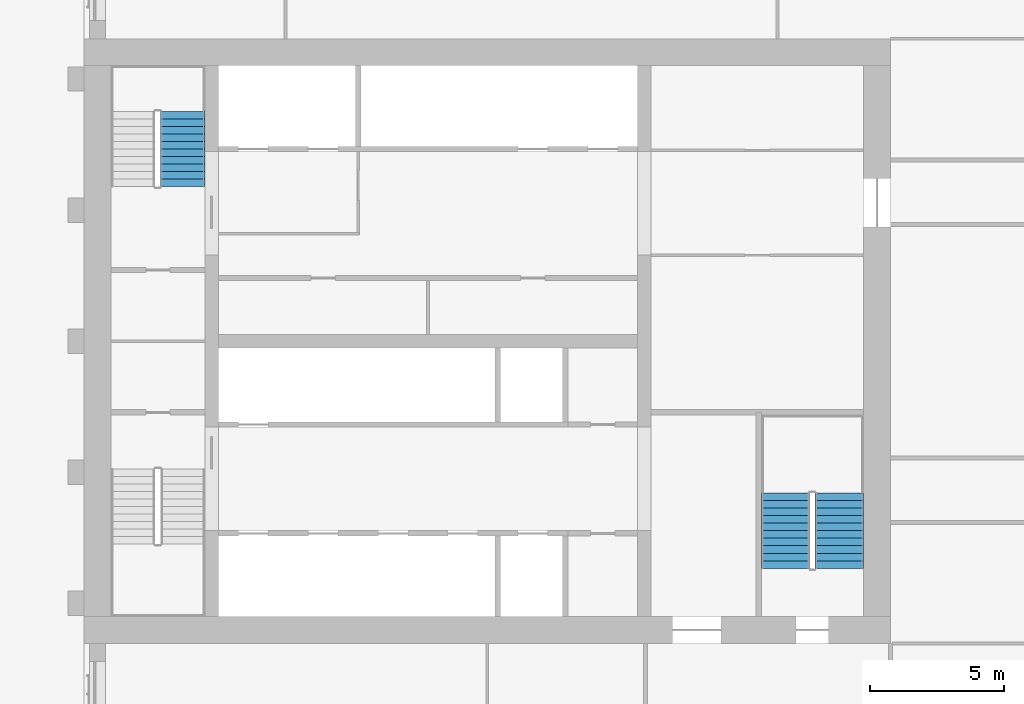
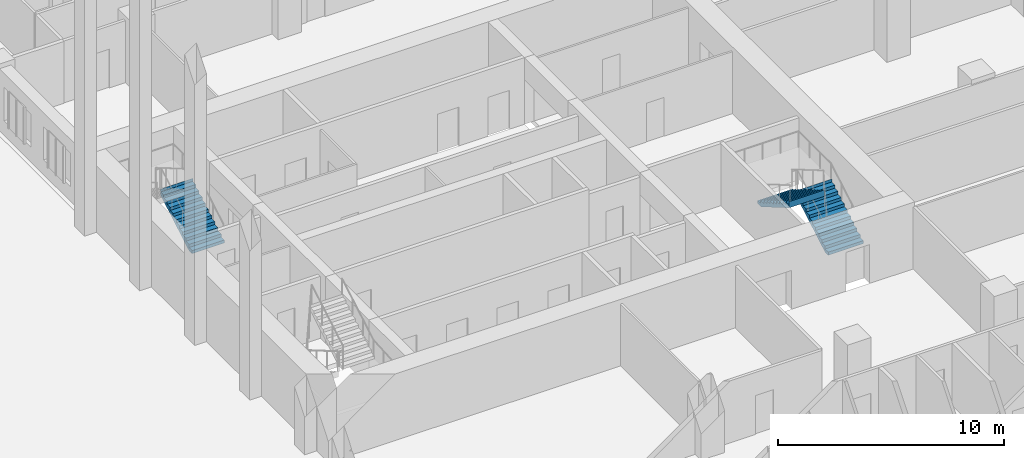
# One storey, part 23 of 27: 3 stair flights, 2 elements without a shape of their own.
"""IFC4 building model written with IfcOpenShell, lengths in metres."""

from ifc_helpers import new_model, si_unit, direction, frame, origin, place, context, subcontext, project, spatial, polyline, outline, extrude, material, type_object, element, aggregate, save


model = new_model("IFC4")

# Units and contexts
model_context = context("Model", 3, precision=1e-05, world=origin(), true_north=direction((0.0, 1.0)))
body_context = subcontext(model_context, "Body", "Model", "MODEL_VIEW")
ifc_project = project(units=[si_unit("LENGTHUNIT", "METRE"), si_unit("AREAUNIT", "SQUARE_METRE"), si_unit("VOLUMEUNIT", "CUBIC_METRE"), si_unit("PLANEANGLEUNIT", "RADIAN"), si_unit("MASSUNIT", "GRAM", prefix="KILO")], contexts=[model_context])

# Site, building, storey
site_placement = place(None, origin())
site = spatial("IfcSite", under=ifc_project, at=site_placement, CompositionType="ELEMENT")
building_placement = place(site_placement, origin())
building = spatial("IfcBuilding", under=site, at=building_placement, Name="Tamorin Gate", CompositionType="ELEMENT")
storey_placement = place(building_placement, frame((0.0, 0.0, 34.0)))
storey = spatial("IfcBuildingStorey", under=building, at=storey_placement, Name="L06", CompositionType="ELEMENT", Elevation=34.0)

# Stair, stair flight
ifc_material = material(Name="Concrete C40/50", Category="concrete")
stair_type = type_object("IfcStairType", Name="Exit stair", PredefinedType="HALF_TURN_STAIR", material=ifc_material)
stair_1_placement = place(storey_placement, origin())
stair_1 = element("IfcStair", 1, at=stair_1_placement, inside=storey, type_object=stair_type, Name="L06 stair ST2", PredefinedType="HALF_TURN_STAIR")
stair_flight_type = type_object("IfcStairFlightType", Name="Exit stair flight", PredefinedType="STRAIGHT", material=ifc_material)
stair_flight_1_placement = place(storey_placement, frame((33.675048828125, 77.0, 0.0), z_axis=(0.0, 0.0, 1.0), x_axis=(0.0, 1.0, 0.0)))
stair_flight_1 = element("IfcStairFlight", 2, at=stair_flight_1_placement, type_object=stair_flight_type, Name="ST2 flight 1", NumberOfRisers=11, NumberOfTreads=10, PredefinedType="STRAIGHT", RiserHeight=0.163636364, TreadLength=0.28, context=body_context, shape_type="SweptSolid", body=[
    extrude(outline(polyline([(-0.00048828125, 0.0), (-0.00048828125, 0.001708984375), (-0.00048828125, 0.003173828125), (-0.00048828125, 0.0048828125), (-0.00048828125, 0.006591796875), (-0.00048828125, 0.008056640625), (-0.00048828125, 0.009765625), (-0.00048828125, 0.01123046875), (-0.00048828125, 0.012939453125), (-0.00048828125, 0.0146484375), (-0.00048828125, 0.01611328125), (-0.00048828125, 0.017822265625), (-0.00048828125, 0.01953125), (-0.00048828125, 0.02099609375), (-0.00048828125, 0.022705078125), (-0.00048828125, 0.0244140625), (-0.00048828125, 0.02587890625), (-0.00048828125, 0.027587890625), (-0.00048828125, 0.029052734375), (-0.00048828125, 0.03076171875), (-0.00048828125, 0.032470703125), (-0.00048828125, 0.033935546875), (-0.00048828125, 0.03564453125), (-0.00048828125, 0.037353515625), (-0.00048828125, 0.038818359375), (-0.00048828125, 0.04052734375), (-0.00048828125, 0.042236328125), (-0.00048828125, 0.043701171875), (-0.00048828125, 0.04541015625), (-0.00048828125, 0.046875), (-0.00048828125, 0.048583984375), (-0.00048828125, 0.05029296875), (-0.00048828125, 0.0517578125), (-0.00048828125, 0.053466796875), (-0.00048828125, 0.05517578125), (-0.00048828125, 0.056640625), (-0.00048828125, 0.058349609375), (-0.00048828125, 0.06005859375), (-0.00048828125, 0.0615234375), (-0.00048828125, 0.063232421875), (-0.00048828125, 0.064697265625), (-0.00048828125, 0.06640625), (-0.00048828125, 0.068115234375), (-0.00048828125, 0.069580078125), (-0.00048828125, 0.0712890625), (-0.00048828125, 0.072998046875), (-0.00048828125, 0.074462890625), (-0.00048828125, 0.076171875), (-0.00048828125, 0.077880859375), (-0.00048828125, 0.079345703125), (-0.00048828125, 0.0810546875), (-0.00048828125, 0.08251953125), (-0.00048828125, 0.084228515625), (-0.00048828125, 0.0859375), (-0.00048828125, 0.08740234375), (-0.00048828125, 0.089111328125), (-0.00048828125, 0.0908203125), (-0.00048828125, 0.09228515625), (-0.00048828125, 0.093994140625), (-0.00048828125, 0.095703125), (-0.00048828125, 0.09716796875), (-0.00048828125, 0.098876953125), (-0.00048828125, 0.100341796875), (-0.00048828125, 0.10205078125), (-0.00048828125, 0.103759765625), (-0.00048828125, 0.105224609375), (-0.00048828125, 0.10693359375), (-0.00048828125, 0.108642578125), (-0.00048828125, 0.110107421875), (-0.00048828125, 0.11181640625), (-0.00048828125, 0.113525390625), (-0.00048828125, 0.114990234375), (-0.00048828125, 0.11669921875), (-0.00048828125, 0.1181640625), (-0.00048828125, 0.119873046875), (-0.00048828125, 0.12158203125), (-0.00048828125, 0.123046875), (-0.00048828125, 0.124755859375), (-0.00048828125, 0.12646484375), (-0.00048828125, 0.1279296875), (-0.00048828125, 0.129638671875), (-0.00048828125, 0.13134765625), (-0.00048828125, 0.1328125), (-0.00048828125, 0.134521484375), (-0.00048828125, 0.135986328125), (-0.00048828125, 0.1376953125), (-0.00048828125, 0.139404296875), (-0.00048828125, 0.140869140625), (-0.00048828125, 0.142578125), (-0.00048828125, 0.144287109375), (-0.00048828125, 0.145751953125), (-0.00048828125, 0.1474609375), (-0.00048828125, 0.149169921875), (-0.00048828125, 0.150634765625), (-0.00048828125, 0.15234375), (-0.00048828125, 0.15380859375), (-0.00048828125, 0.155517578125), (-0.00048828125, 0.1572265625), (-0.00048828125, 0.15869140625), (-0.00048828125, 0.160400390625), (-0.00048828125, 0.162109375), (-0.00048828125, 0.16357421875), (0.280029296875, 0.16357421875), (0.280029296875, 0.327392578125), (0.56005859375, 0.327392578125), (0.56005859375, 0.490966796875), (0.840087890625, 0.490966796875), (0.840087890625, 0.654541015625), (1.1201171875, 0.654541015625), (1.1201171875, 0.818115234375), (1.39990234375, 0.818115234375), (1.39990234375, 0.98193359375), (1.679931640625, 0.98193359375), (1.679931640625, 1.1455078125), (1.9599609375, 1.1455078125), (1.9599609375, 1.30908203125), (2.239990234375, 1.30908203125), (2.239990234375, 1.47265625), (2.52001953125, 1.47265625), (2.52001953125, 1.636474609375), (2.800048828125, 1.636474609375), (2.800048828125, 1.800048828125), (2.800537109375, 1.800048828125), (2.800537109375, 1.796630859375), (2.800537109375, 1.793212890625), (2.800537109375, 1.7900390625), (2.800537109375, 1.78662109375), (2.800537109375, 1.783203125), (2.800537109375, 1.780029296875), (2.800537109375, 1.776611328125), (2.800537109375, 1.773193359375), (2.800537109375, 1.77001953125), (2.800537109375, 1.7666015625), (2.800537109375, 1.76318359375), (2.800537109375, 1.760009765625), (2.800537109375, 1.756591796875), (2.800537109375, 1.753173828125), (2.800537109375, 1.75), (2.800537109375, 1.74658203125), (2.800537109375, 1.7431640625), (2.800537109375, 1.739990234375), (2.800537109375, 1.736572265625), (2.800537109375, 1.733154296875), (2.800537109375, 1.72998046875), (2.800537109375, 1.7265625), (2.800537109375, 1.72314453125), (2.800537109375, 1.719970703125), (2.800537109375, 1.716552734375), (2.800537109375, 1.713134765625), (2.800537109375, 1.7099609375), (2.800537109375, 1.70654296875), (2.800537109375, 1.703125), (2.800537109375, 1.69970703125), (2.800537109375, 1.696533203125), (2.800537109375, 1.693115234375), (2.800537109375, 1.689697265625), (2.800537109375, 1.6865234375), (2.800537109375, 1.68310546875), (2.800537109375, 1.6796875), (2.800537109375, 1.676513671875), (2.800537109375, 1.673095703125), (2.800537109375, 1.669677734375), (2.800537109375, 1.66650390625), (2.800537109375, 1.6630859375), (2.800537109375, 1.65966796875), (2.800537109375, 1.656494140625), (2.800537109375, 1.653076171875), (2.800537109375, 1.649658203125), (2.800537109375, 1.646484375), (2.800537109375, 1.64306640625), (2.800537109375, 1.6396484375), (2.800537109375, 1.636474609375), (2.800537109375, 1.633056640625), (2.800537109375, 1.629638671875), (2.800537109375, 1.62646484375), (2.800537109375, 1.623046875), (2.800537109375, 1.61962890625), (2.800537109375, 1.616455078125), (2.800537109375, 1.613037109375), (2.800537109375, 1.609619140625), (2.800537109375, 1.6064453125), (2.800537109375, 1.60302734375), (2.800537109375, 1.599609375), (2.800537109375, 1.59619140625), (2.800537109375, 1.593017578125), (2.800537109375, 1.589599609375), (2.800537109375, 1.586181640625), (2.800537109375, 1.5830078125), (2.800537109375, 1.57958984375), (2.800537109375, 1.576171875), (2.800537109375, 1.572998046875), (2.800537109375, 1.569580078125), (2.800537109375, 1.566162109375), (2.800537109375, 1.56298828125), (2.800537109375, 1.5595703125), (2.800537109375, 1.55615234375), (2.800537109375, 1.552978515625), (2.800537109375, 1.549560546875), (2.800537109375, 1.546142578125), (2.800537109375, 1.54296875), (2.800537109375, 1.53955078125), (2.800537109375, 1.5361328125), (2.800537109375, 1.532958984375), (2.800537109375, 1.529541015625), (2.800537109375, 1.526123046875), (2.800537109375, 1.52294921875), (2.800537109375, 1.51953125), (2.800537109375, 1.51611328125), (2.800537109375, 1.512939453125), (2.800537109375, 1.509521484375), (2.800537109375, 1.506103515625), (2.800537109375, 1.5029296875), (2.800537109375, 1.49951171875), (2.800537109375, 1.49609375), (2.800537109375, 1.49267578125), (2.800537109375, 1.489501953125), (2.800537109375, 1.486083984375), (2.800537109375, 1.482666015625), (2.800537109375, 1.4794921875), (2.800537109375, 1.47607421875), (2.800537109375, 1.47265625), (2.800537109375, 1.469482421875), (2.800537109375, 1.466064453125), (2.800537109375, 1.462646484375), (2.800048828125, 1.462646484375), (0.297119140625, 0.0), (-0.00048828125, 0.0)])), frame((0.0, 0.824951171875, 0.0), z_axis=(0.0, -1.0, 0.0), x_axis=(1.0, 0.0, 0.0)), (0.0, 0.0, 1.0), 1.64990234375),
])
aggregate(stair_1, [stair_flight_1])

# Stair, stair flights
stair_2_placement = place(storey_placement, origin())
stair_2 = element("IfcStair", 3, at=stair_2_placement, inside=storey, type_object=stair_type, Name="L06 stair ST3", PredefinedType="HALF_TURN_STAIR")
stair_flight_2_placement = place(storey_placement, frame((58.10009765625, 62.800048828125, 0.0), z_axis=(0.0, 0.0, 1.0), x_axis=(0.0, 1.0, 0.0)))
stair_flight_2 = element("IfcStairFlight", 4, at=stair_flight_2_placement, type_object=stair_flight_type, Name="ST3 flight 1", NumberOfRisers=11, NumberOfTreads=10, PredefinedType="STRAIGHT", RiserHeight=0.163636364, TreadLength=0.28, context=body_context, shape_type="SweptSolid", body=[
    extrude(outline(polyline([(-0.00048828125, 0.0), (-0.00048828125, 0.001708984375), (-0.00048828125, 0.003173828125), (-0.00048828125, 0.0048828125), (-0.00048828125, 0.006591796875), (-0.00048828125, 0.008056640625), (-0.00048828125, 0.009765625), (-0.00048828125, 0.01123046875), (-0.00048828125, 0.012939453125), (-0.00048828125, 0.0146484375), (-0.00048828125, 0.01611328125), (-0.00048828125, 0.017822265625), (-0.00048828125, 0.01953125), (-0.00048828125, 0.02099609375), (-0.00048828125, 0.022705078125), (-0.00048828125, 0.0244140625), (-0.00048828125, 0.02587890625), (-0.00048828125, 0.027587890625), (-0.00048828125, 0.029052734375), (-0.00048828125, 0.03076171875), (-0.00048828125, 0.032470703125), (-0.00048828125, 0.033935546875), (-0.00048828125, 0.03564453125), (-0.00048828125, 0.037353515625), (-0.00048828125, 0.038818359375), (-0.00048828125, 0.04052734375), (-0.00048828125, 0.042236328125), (-0.00048828125, 0.043701171875), (-0.00048828125, 0.04541015625), (-0.00048828125, 0.046875), (-0.00048828125, 0.048583984375), (-0.00048828125, 0.05029296875), (-0.00048828125, 0.0517578125), (-0.00048828125, 0.053466796875), (-0.00048828125, 0.05517578125), (-0.00048828125, 0.056640625), (-0.00048828125, 0.058349609375), (-0.00048828125, 0.06005859375), (-0.00048828125, 0.0615234375), (-0.00048828125, 0.063232421875), (-0.00048828125, 0.064697265625), (-0.00048828125, 0.06640625), (-0.00048828125, 0.068115234375), (-0.00048828125, 0.069580078125), (-0.00048828125, 0.0712890625), (-0.00048828125, 0.072998046875), (-0.00048828125, 0.074462890625), (-0.00048828125, 0.076171875), (-0.00048828125, 0.077880859375), (-0.00048828125, 0.079345703125), (-0.00048828125, 0.0810546875), (-0.00048828125, 0.08251953125), (-0.00048828125, 0.084228515625), (-0.00048828125, 0.0859375), (-0.00048828125, 0.08740234375), (-0.00048828125, 0.089111328125), (-0.00048828125, 0.0908203125), (-0.00048828125, 0.09228515625), (-0.00048828125, 0.093994140625), (-0.00048828125, 0.095703125), (-0.00048828125, 0.09716796875), (-0.00048828125, 0.098876953125), (-0.00048828125, 0.100341796875), (-0.00048828125, 0.10205078125), (-0.00048828125, 0.103759765625), (-0.00048828125, 0.105224609375), (-0.00048828125, 0.10693359375), (-0.00048828125, 0.108642578125), (-0.00048828125, 0.110107421875), (-0.00048828125, 0.11181640625), (-0.00048828125, 0.113525390625), (-0.00048828125, 0.114990234375), (-0.00048828125, 0.11669921875), (-0.00048828125, 0.1181640625), (-0.00048828125, 0.119873046875), (-0.00048828125, 0.12158203125), (-0.00048828125, 0.123046875), (-0.00048828125, 0.124755859375), (-0.00048828125, 0.12646484375), (-0.00048828125, 0.1279296875), (-0.00048828125, 0.129638671875), (-0.00048828125, 0.13134765625), (-0.00048828125, 0.1328125), (-0.00048828125, 0.134521484375), (-0.00048828125, 0.135986328125), (-0.00048828125, 0.1376953125), (-0.00048828125, 0.139404296875), (-0.00048828125, 0.140869140625), (-0.00048828125, 0.142578125), (-0.00048828125, 0.144287109375), (-0.00048828125, 0.145751953125), (-0.00048828125, 0.1474609375), (-0.00048828125, 0.149169921875), (-0.00048828125, 0.150634765625), (-0.00048828125, 0.15234375), (-0.00048828125, 0.15380859375), (-0.00048828125, 0.155517578125), (-0.00048828125, 0.1572265625), (-0.00048828125, 0.15869140625), (-0.00048828125, 0.160400390625), (-0.00048828125, 0.162109375), (-0.00048828125, 0.16357421875), (0.280029296875, 0.16357421875), (0.280029296875, 0.327392578125), (0.56005859375, 0.327392578125), (0.56005859375, 0.490966796875), (0.840087890625, 0.490966796875), (0.840087890625, 0.654541015625), (1.1201171875, 0.654541015625), (1.1201171875, 0.818115234375), (1.39990234375, 0.818115234375), (1.39990234375, 0.98193359375), (1.679931640625, 0.98193359375), (1.679931640625, 1.1455078125), (1.9599609375, 1.1455078125), (1.9599609375, 1.30908203125), (2.239990234375, 1.30908203125), (2.239990234375, 1.47265625), (2.52001953125, 1.47265625), (2.52001953125, 1.636474609375), (2.800048828125, 1.636474609375), (2.800048828125, 1.800048828125), (2.800537109375, 1.800048828125), (2.800537109375, 1.796630859375), (2.800537109375, 1.793212890625), (2.800537109375, 1.7900390625), (2.800537109375, 1.78662109375), (2.800537109375, 1.783203125), (2.800537109375, 1.780029296875), (2.800537109375, 1.776611328125), (2.800537109375, 1.773193359375), (2.800537109375, 1.77001953125), (2.800537109375, 1.7666015625), (2.800537109375, 1.76318359375), (2.800537109375, 1.760009765625), (2.800537109375, 1.756591796875), (2.800537109375, 1.753173828125), (2.800537109375, 1.75), (2.800537109375, 1.74658203125), (2.800537109375, 1.7431640625), (2.800537109375, 1.739990234375), (2.800537109375, 1.736572265625), (2.800537109375, 1.733154296875), (2.800537109375, 1.72998046875), (2.800537109375, 1.7265625), (2.800537109375, 1.72314453125), (2.800537109375, 1.719970703125), (2.800537109375, 1.716552734375), (2.800537109375, 1.713134765625), (2.800537109375, 1.7099609375), (2.800537109375, 1.70654296875), (2.800537109375, 1.703125), (2.800537109375, 1.69970703125), (2.800537109375, 1.696533203125), (2.800537109375, 1.693115234375), (2.800537109375, 1.689697265625), (2.800537109375, 1.6865234375), (2.800537109375, 1.68310546875), (2.800537109375, 1.6796875), (2.800537109375, 1.676513671875), (2.800537109375, 1.673095703125), (2.800537109375, 1.669677734375), (2.800537109375, 1.66650390625), (2.800537109375, 1.6630859375), (2.800537109375, 1.65966796875), (2.800537109375, 1.656494140625), (2.800537109375, 1.653076171875), (2.800537109375, 1.649658203125), (2.800537109375, 1.646484375), (2.800537109375, 1.64306640625), (2.800537109375, 1.6396484375), (2.800537109375, 1.636474609375), (2.800537109375, 1.633056640625), (2.800537109375, 1.629638671875), (2.800537109375, 1.62646484375), (2.800537109375, 1.623046875), (2.800537109375, 1.61962890625), (2.800537109375, 1.616455078125), (2.800537109375, 1.613037109375), (2.800537109375, 1.609619140625), (2.800537109375, 1.6064453125), (2.800537109375, 1.60302734375), (2.800537109375, 1.599609375), (2.800537109375, 1.59619140625), (2.800537109375, 1.593017578125), (2.800537109375, 1.589599609375), (2.800537109375, 1.586181640625), (2.800537109375, 1.5830078125), (2.800537109375, 1.57958984375), (2.800537109375, 1.576171875), (2.800537109375, 1.572998046875), (2.800537109375, 1.569580078125), (2.800537109375, 1.566162109375), (2.800537109375, 1.56298828125), (2.800537109375, 1.5595703125), (2.800537109375, 1.55615234375), (2.800537109375, 1.552978515625), (2.800537109375, 1.549560546875), (2.800537109375, 1.546142578125), (2.800537109375, 1.54296875), (2.800537109375, 1.53955078125), (2.800537109375, 1.5361328125), (2.800537109375, 1.532958984375), (2.800537109375, 1.529541015625), (2.800537109375, 1.526123046875), (2.800537109375, 1.52294921875), (2.800537109375, 1.51953125), (2.800537109375, 1.51611328125), (2.800537109375, 1.512939453125), (2.800537109375, 1.509521484375), (2.800537109375, 1.506103515625), (2.800537109375, 1.5029296875), (2.800537109375, 1.49951171875), (2.800537109375, 1.49609375), (2.800537109375, 1.49267578125), (2.800537109375, 1.489501953125), (2.800537109375, 1.486083984375), (2.800537109375, 1.482666015625), (2.800537109375, 1.4794921875), (2.800537109375, 1.47607421875), (2.800537109375, 1.47265625), (2.800537109375, 1.469482421875), (2.800537109375, 1.466064453125), (2.800537109375, 1.462646484375), (2.800048828125, 1.462646484375), (0.297119140625, 0.0), (-0.00048828125, 0.0)])), frame((0.0, 0.89990234375, 0.0), z_axis=(0.0, -1.0, 0.0), x_axis=(1.0, 0.0, 0.0)), (0.0, 0.0, 1.0), 1.800048828125),
])
stair_flight_3_placement = place(storey_placement, frame((56.10009765625, 65.60009765625, 1.800048828125), z_axis=(0.0, 0.0, 1.0), x_axis=(0.0, -1.0, 0.0)))
stair_flight_3 = element("IfcStairFlight", 5, at=stair_flight_3_placement, type_object=stair_flight_type, Name="ST3 flight 2", NumberOfRisers=11, NumberOfTreads=10, PredefinedType="STRAIGHT", RiserHeight=0.163636364, TreadLength=0.28, context=body_context, shape_type="SweptSolid", body=[
    extrude(outline(polyline([(-0.00048828125, 0.0), (-0.00048828125, 0.001708984375), (-0.00048828125, 0.003173828125), (-0.00048828125, 0.0048828125), (-0.00048828125, 0.006591796875), (-0.00048828125, 0.008056640625), (-0.00048828125, 0.009765625), (-0.00048828125, 0.01123046875), (-0.00048828125, 0.012939453125), (-0.00048828125, 0.0146484375), (-0.00048828125, 0.01611328125), (-0.00048828125, 0.017822265625), (-0.00048828125, 0.01953125), (-0.00048828125, 0.02099609375), (-0.00048828125, 0.022705078125), (-0.00048828125, 0.0244140625), (-0.00048828125, 0.02587890625), (-0.00048828125, 0.027587890625), (-0.00048828125, 0.029052734375), (-0.00048828125, 0.03076171875), (-0.00048828125, 0.032470703125), (-0.00048828125, 0.033935546875), (-0.00048828125, 0.03564453125), (-0.00048828125, 0.037353515625), (-0.00048828125, 0.038818359375), (-0.00048828125, 0.04052734375), (-0.00048828125, 0.042236328125), (-0.00048828125, 0.043701171875), (-0.00048828125, 0.04541015625), (-0.00048828125, 0.046875), (-0.00048828125, 0.048583984375), (-0.00048828125, 0.05029296875), (-0.00048828125, 0.0517578125), (-0.00048828125, 0.053466796875), (-0.00048828125, 0.05517578125), (-0.00048828125, 0.056640625), (-0.00048828125, 0.058349609375), (-0.00048828125, 0.06005859375), (-0.00048828125, 0.0615234375), (-0.00048828125, 0.063232421875), (-0.00048828125, 0.064697265625), (-0.00048828125, 0.06640625), (-0.00048828125, 0.068115234375), (-0.00048828125, 0.069580078125), (-0.00048828125, 0.0712890625), (-0.00048828125, 0.072998046875), (-0.00048828125, 0.074462890625), (-0.00048828125, 0.076171875), (-0.00048828125, 0.077880859375), (-0.00048828125, 0.079345703125), (-0.00048828125, 0.0810546875), (-0.00048828125, 0.08251953125), (-0.00048828125, 0.084228515625), (-0.00048828125, 0.0859375), (-0.00048828125, 0.08740234375), (-0.00048828125, 0.089111328125), (-0.00048828125, 0.0908203125), (-0.00048828125, 0.09228515625), (-0.00048828125, 0.093994140625), (-0.00048828125, 0.095703125), (-0.00048828125, 0.09716796875), (-0.00048828125, 0.098876953125), (-0.00048828125, 0.100341796875), (-0.00048828125, 0.10205078125), (-0.00048828125, 0.103759765625), (-0.00048828125, 0.105224609375), (-0.00048828125, 0.10693359375), (-0.00048828125, 0.108642578125), (-0.00048828125, 0.110107421875), (-0.00048828125, 0.11181640625), (-0.00048828125, 0.113525390625), (-0.00048828125, 0.114990234375), (-0.00048828125, 0.11669921875), (-0.00048828125, 0.1181640625), (-0.00048828125, 0.119873046875), (-0.00048828125, 0.12158203125), (-0.00048828125, 0.123046875), (-0.00048828125, 0.124755859375), (-0.00048828125, 0.12646484375), (-0.00048828125, 0.1279296875), (-0.00048828125, 0.129638671875), (-0.00048828125, 0.13134765625), (-0.00048828125, 0.1328125), (-0.00048828125, 0.134521484375), (-0.00048828125, 0.135986328125), (-0.00048828125, 0.1376953125), (-0.00048828125, 0.139404296875), (-0.00048828125, 0.140869140625), (-0.00048828125, 0.142578125), (-0.00048828125, 0.144287109375), (-0.00048828125, 0.145751953125), (-0.00048828125, 0.1474609375), (-0.00048828125, 0.149169921875), (-0.00048828125, 0.150634765625), (-0.00048828125, 0.15234375), (-0.00048828125, 0.15380859375), (-0.00048828125, 0.155517578125), (-0.00048828125, 0.1572265625), (-0.00048828125, 0.15869140625), (-0.00048828125, 0.160400390625), (-0.00048828125, 0.162109375), (-0.00048828125, 0.16357421875), (0.280029296875, 0.16357421875), (0.280029296875, 0.327392578125), (0.56005859375, 0.327392578125), (0.56005859375, 0.490966796875), (0.840087890625, 0.490966796875), (0.840087890625, 0.654541015625), (1.1201171875, 0.654541015625), (1.1201171875, 0.818115234375), (1.39990234375, 0.818115234375), (1.39990234375, 0.98193359375), (1.679931640625, 0.98193359375), (1.679931640625, 1.1455078125), (1.9599609375, 1.1455078125), (1.9599609375, 1.30908203125), (2.239990234375, 1.30908203125), (2.239990234375, 1.47265625), (2.52001953125, 1.47265625), (2.52001953125, 1.636474609375), (2.800048828125, 1.636474609375), (2.800048828125, 1.800048828125), (2.800537109375, 1.800048828125), (2.800537109375, 1.796630859375), (2.800537109375, 1.793212890625), (2.800537109375, 1.7900390625), (2.800537109375, 1.78662109375), (2.800537109375, 1.783203125), (2.800537109375, 1.780029296875), (2.800537109375, 1.776611328125), (2.800537109375, 1.773193359375), (2.800537109375, 1.77001953125), (2.800537109375, 1.7666015625), (2.800537109375, 1.76318359375), (2.800537109375, 1.760009765625), (2.800537109375, 1.756591796875), (2.800537109375, 1.753173828125), (2.800537109375, 1.75), (2.800537109375, 1.74658203125), (2.800537109375, 1.7431640625), (2.800537109375, 1.739990234375), (2.800537109375, 1.736572265625), (2.800537109375, 1.733154296875), (2.800537109375, 1.72998046875), (2.800537109375, 1.7265625), (2.800537109375, 1.72314453125), (2.800537109375, 1.719970703125), (2.800537109375, 1.716552734375), (2.800537109375, 1.713134765625), (2.800537109375, 1.7099609375), (2.800537109375, 1.70654296875), (2.800537109375, 1.703125), (2.800537109375, 1.69970703125), (2.800537109375, 1.696533203125), (2.800537109375, 1.693115234375), (2.800537109375, 1.689697265625), (2.800537109375, 1.6865234375), (2.800537109375, 1.68310546875), (2.800537109375, 1.6796875), (2.800537109375, 1.676513671875), (2.800537109375, 1.673095703125), (2.800537109375, 1.669677734375), (2.800537109375, 1.66650390625), (2.800537109375, 1.6630859375), (2.800537109375, 1.65966796875), (2.800537109375, 1.656494140625), (2.800537109375, 1.653076171875), (2.800537109375, 1.649658203125), (2.800537109375, 1.646484375), (2.800537109375, 1.64306640625), (2.800537109375, 1.6396484375), (2.800537109375, 1.636474609375), (2.800537109375, 1.633056640625), (2.800537109375, 1.629638671875), (2.800537109375, 1.62646484375), (2.800537109375, 1.623046875), (2.800537109375, 1.61962890625), (2.800537109375, 1.616455078125), (2.800537109375, 1.613037109375), (2.800537109375, 1.609619140625), (2.800537109375, 1.6064453125), (2.800537109375, 1.60302734375), (2.800537109375, 1.599609375), (2.800537109375, 1.59619140625), (2.800537109375, 1.593017578125), (2.800537109375, 1.589599609375), (2.800537109375, 1.586181640625), (2.800537109375, 1.5830078125), (2.800537109375, 1.57958984375), (2.800537109375, 1.576171875), (2.800537109375, 1.572998046875), (2.800537109375, 1.569580078125), (2.800537109375, 1.566162109375), (2.800537109375, 1.56298828125), (2.800537109375, 1.5595703125), (2.800537109375, 1.55615234375), (2.800537109375, 1.552978515625), (2.800537109375, 1.549560546875), (2.800537109375, 1.546142578125), (2.800537109375, 1.54296875), (2.800537109375, 1.53955078125), (2.800537109375, 1.5361328125), (2.800537109375, 1.532958984375), (2.800537109375, 1.529541015625), (2.800537109375, 1.526123046875), (2.800537109375, 1.52294921875), (2.800537109375, 1.51953125), (2.800537109375, 1.51611328125), (2.800537109375, 1.512939453125), (2.800537109375, 1.509521484375), (2.800537109375, 1.506103515625), (2.800537109375, 1.5029296875), (2.800537109375, 1.49951171875), (2.800537109375, 1.49609375), (2.800537109375, 1.49267578125), (2.800537109375, 1.489501953125), (2.800537109375, 1.486083984375), (2.800537109375, 1.482666015625), (2.800537109375, 1.4794921875), (2.800537109375, 1.47607421875), (2.800537109375, 1.47265625), (2.800537109375, 1.469482421875), (2.800537109375, 1.466064453125), (2.800537109375, 1.462646484375), (2.800048828125, 1.462646484375), (0.297119140625, 0.0), (-0.00048828125, 0.0)])), frame((0.0, 0.89990234375, 0.0), z_axis=(0.0, -1.0, 0.0), x_axis=(1.0, 0.0, 0.0)), (0.0, 0.0, 1.0), 1.800048828125),
])
aggregate(stair_2, [stair_flight_2, stair_flight_3])

save(model, "model.ifc")
